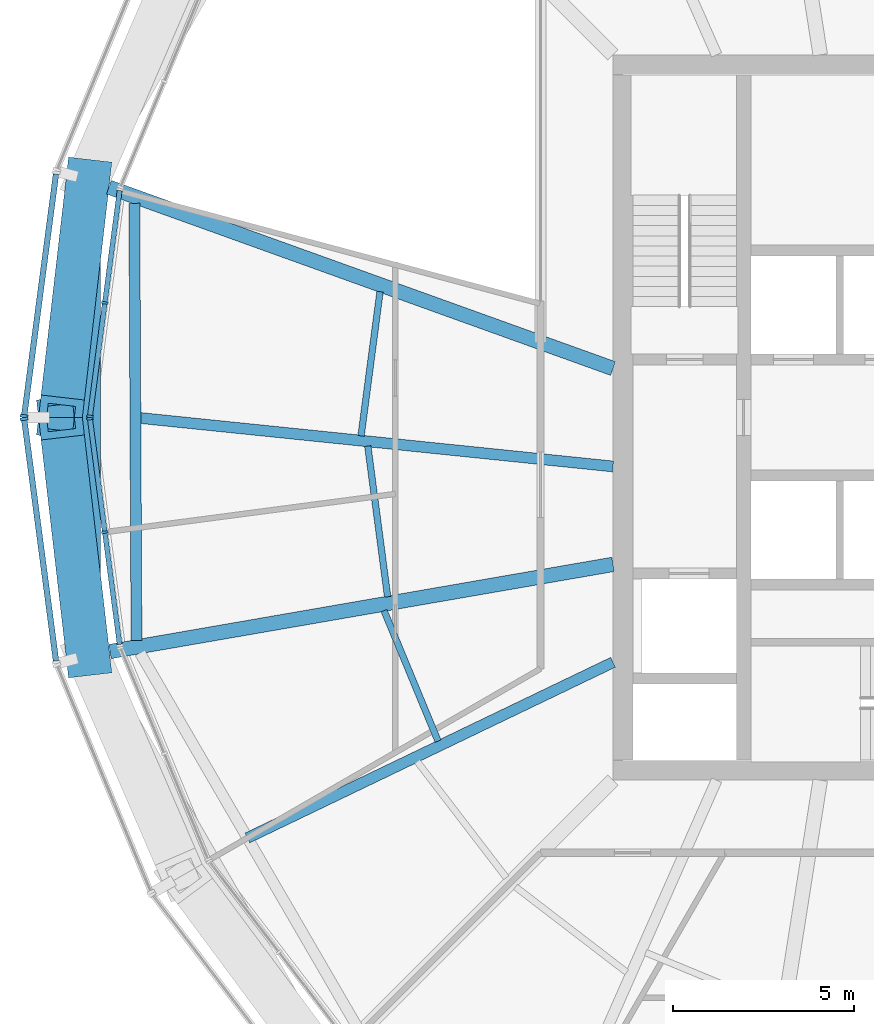
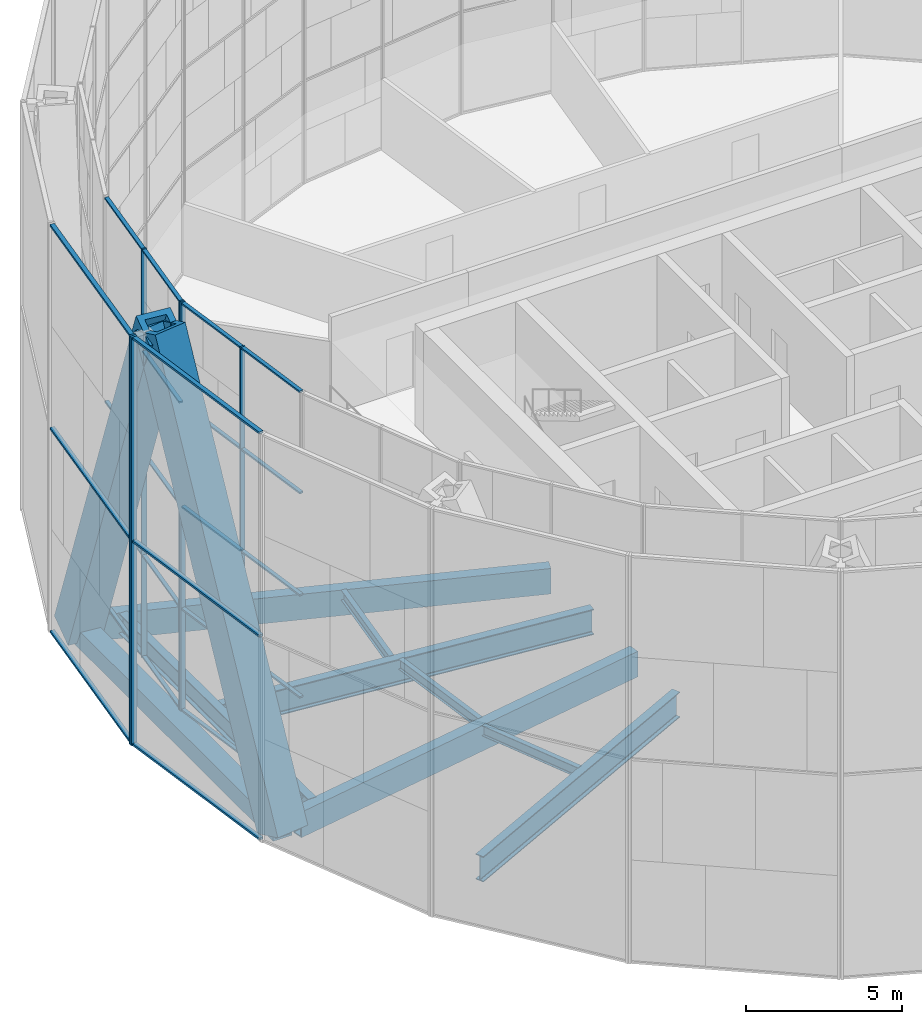
# One storey, part 4 of 28: 34 members, 9 beams, 4 elements without a shape of their own.
"""IFC4 building model written with IfcOpenShell, lengths in metres."""

from ifc_helpers import new_model, si_unit, direction, frame, origin, origin_2d, place, context, subcontext, project, spatial, rectangle, hollow_rectangle, i_section, extrude, material, material_profile, profile_set, type_object, element, aggregate, save


model = new_model("IFC4")

# Units and contexts
model_context = context("Model", 3, precision=1e-05, world=origin(), true_north=direction((0.0, 1.0)))
body_context = subcontext(model_context, "Body", "Model", "MODEL_VIEW")
ifc_project = project(units=[si_unit("LENGTHUNIT", "METRE"), si_unit("AREAUNIT", "SQUARE_METRE"), si_unit("VOLUMEUNIT", "CUBIC_METRE"), si_unit("PLANEANGLEUNIT", "RADIAN"), si_unit("MASSUNIT", "GRAM", prefix="KILO")], contexts=[model_context])

# Site, building, storey
site_placement = place(None, origin())
site = spatial("IfcSite", under=ifc_project, at=site_placement, CompositionType="ELEMENT")
building_placement = place(site_placement, origin())
building = spatial("IfcBuilding", under=site, at=building_placement, Name="Golbaran Civic Tower", CompositionType="ELEMENT")
storey_placement = place(building_placement, frame((0.0, 0.0, 134.0)))
storey = spatial("IfcBuildingStorey", under=building, at=storey_placement, Name="L32", CompositionType="ELEMENT", Elevation=134.0)

# Members
ifc_material_1 = material(Name="Steel S355", Category="steel")
ifc_material_profile_1 = material_profile(ifc_material_1, hollow_rectangle(XDim=1.199951171875, YDim=1.199951171875, WallThickness=0.219970703125, at=origin_2d()), Name="BOX 1200x1200x220")
ifc_profile_set_1 = profile_set([ifc_material_profile_1], Name="Steel S355")
member_type_1 = type_object("IfcMemberType", Name="DIAGRID DIAGONAL BOX 1200x1200x220", PredefinedType="BRACE", material=ifc_profile_set_1)
for number, where, z_axis, x_axis, name in (
    (1, (-24.4765625, 6.55859375, -0.7099609375), (-0.043754138493, -0.37892043084, 0.92439433277), (0.993399215237, -0.114708322129, 0.0), "Diagonal D07-05R L32-L36"),
    (2, (-24.4765625, -6.55859375, -0.7099609375), (-0.043754138493, 0.37892043084, 0.92439433277), (-0.993399215237, -0.114708322129, 0.0), "Diagonal D07-06L L32-L36"),
):
    element("IfcMember", number, at=place(storey_placement, frame(where, z_axis=z_axis, x_axis=x_axis)), inside=storey, type_object=member_type_1, Name=name, PredefinedType="BRACE", context=body_context, shape_type="SweptSolid", body=[
        extrude(hollow_rectangle(XDim=1.199951171875, YDim=1.199951171875, WallThickness=0.219970703125, at=origin_2d()), origin(), (0.0, 0.0, 1.0), 17.30859375),
    ])

# Beams
ifc_material_profile_2 = material_profile(ifc_material_1, hollow_rectangle(XDim=0.699951171875, YDim=0.699951171875, WallThickness=0.080078125, at=origin_2d()), Name="BOX 700x700x80")
ifc_profile_set_2 = profile_set([ifc_material_profile_2], Name="Steel S355")
beam_type_1 = type_object("IfcBeamType", Name="DIAGRID RING TIE BOX 700x700x80", PredefinedType="BEAM", material=ifc_profile_set_2)
beam_1_placement = place(storey_placement, frame((-24.4765625, 6.55859375, -0.7099609375), z_axis=(0.0, -1.0, 0.0), x_axis=(1.0, 0.0, 0.0)))
element("IfcBeam", 3, at=beam_1_placement, inside=storey, type_object=beam_type_1, Name="Ring tie 165.00 L32", PredefinedType="BEAM", context=body_context, shape_type="SweptSolid", body=[
    extrude(hollow_rectangle(XDim=0.699951171875, YDim=0.699951171875, WallThickness=0.080078125, at=origin_2d()), origin(), (0.0, 0.0, 1.0), 13.1171875),
])
ifc_material_profile_3 = material_profile(ifc_material_1, i_section(OverallWidth=0.300048828125, OverallDepth=0.800048828125, WebThickness=0.017578125, FlangeThickness=0.032958984375, FilletRadius=0.030029296875, at=origin_2d()), Name="HEB 800")
ifc_profile_set_3 = profile_set([ifc_material_profile_3], Name="Steel S355")
beam_type_2 = type_object("IfcBeamType", Name="EDGE BEAM HEB 800", PredefinedType="BEAM", material=ifc_profile_set_3)
beam_2_placement = place(storey_placement, frame((-23.19677734375, 5.90673828125, -0.60009765625), z_axis=(0.00490279567, -0.999987981225, 0.0), x_axis=(0.999987981225, 0.00490279567, 0.0)))
element("IfcBeam", 4, at=beam_2_placement, inside=storey, type_object=beam_type_2, Name="Edge beam 165.00 L32", PredefinedType="BEAM", context=body_context, shape_type="SweptSolid", body=[
    extrude(i_section(OverallWidth=0.300048828125, OverallDepth=0.800048828125, WebThickness=0.017578125, FlangeThickness=0.032958984375, FilletRadius=0.030029296875, at=origin_2d()), origin(), (0.0, 0.0, 1.0), 12.05078125),
])
ifc_material_profile_4 = material_profile(ifc_material_1, i_section(OverallWidth=0.179931640625, OverallDepth=0.39990234375, WebThickness=0.008544921875, FlangeThickness=0.013427734375, FilletRadius=0.02099609375, at=origin_2d()), Name="IPE 400")
ifc_profile_set_4 = profile_set([ifc_material_profile_4], Name="Steel S355")
beam_type_3 = type_object("IfcBeamType", Name="FLOOR INFILL BEAM IPE 400", PredefinedType="BEAM", material=ifc_profile_set_4)
beam_3_placement = place(storey_placement, frame((-16.42236328125, 3.46923828125, -0.39990234375), z_axis=(-0.130504898859, -0.991447664465, 0.0), x_axis=(0.991447664465, -0.130504898859, 0.0)))
element("IfcBeam", 5, at=beam_3_placement, inside=storey, type_object=beam_type_3, Name="Infill beam 172.50 L32", PredefinedType="BEAM", context=body_context, shape_type="SweptSolid", body=[
    extrude(i_section(OverallWidth=0.179931640625, OverallDepth=0.39990234375, WebThickness=0.008544921875, FlangeThickness=0.013427734375, FilletRadius=0.02099609375, at=origin_2d()), origin(), (0.0, 0.0, 1.0), 4.010986328125),
])
beam_4_placement = place(storey_placement, frame((-16.760009765625, -0.78759765625, -0.39990234375), z_axis=(0.130511759414, -0.991446761382, 0.0), x_axis=(0.991446761382, 0.130511759414, 0.0)))
element("IfcBeam", 6, at=beam_4_placement, inside=storey, type_object=beam_type_3, Name="Infill beam 187.50 L32", PredefinedType="BEAM", context=body_context, shape_type="SweptSolid", body=[
    extrude(i_section(OverallWidth=0.179931640625, OverallDepth=0.39990234375, WebThickness=0.008544921875, FlangeThickness=0.013427734375, FilletRadius=0.02099609375, at=origin_2d()), origin(), (0.0, 0.0, 1.0), 4.192138671875),
])
beam_5_placement = place(storey_placement, frame((-16.3115234375, -5.326416015625, -0.39990234375), z_axis=(0.382663850162, -0.923887643482, 0.0), x_axis=(0.923887643482, 0.382663850162, 0.0)))
element("IfcBeam", 7, at=beam_5_placement, inside=storey, type_object=beam_type_3, Name="Infill beam 202.50 L32", PredefinedType="BEAM", context=body_context, shape_type="SweptSolid", body=[
    extrude(i_section(OverallWidth=0.179931640625, OverallDepth=0.39990234375, WebThickness=0.008544921875, FlangeThickness=0.013427734375, FilletRadius=0.02099609375, at=origin_2d()), origin(), (0.0, 0.0, 1.0), 3.892333984375),
])

# Curtain wall, members
ifc_material_2 = material(Name="Aluminium and glass", Category="aluminium")
curtain_wall_type_1 = type_object("IfcCurtainWallType", Name="INNER SKIN CURTAIN WALL", PredefinedType="NOTDEFINED", material=ifc_material_2)
curtain_wall_1_placement = place(storey_placement, origin())
curtain_wall_1 = element("IfcCurtainWall", 8, at=curtain_wall_1_placement, inside=storey, type_object=curtain_wall_type_1, Name="Inner skin L32 facet 12 CW1", ObjectType="INNER SKIN", PredefinedType="USERDEFINED")
ifc_material_3 = material(Name="Aluminium", Category="aluminium")
ifc_material_profile_5 = material_profile(ifc_material_3, rectangle(XDim=0.179931640625, YDim=0.06494140625, at=origin_2d()), Name="INNER SKIN CURTAIN WALL MULLION")
ifc_profile_set_5 = profile_set([ifc_material_profile_5], Name="Aluminium")
member_type_2 = type_object("IfcMemberType", Name="INNER SKIN CURTAIN WALL MULLION", PredefinedType="MULLION", material=ifc_profile_set_5)
member_1_placement = place(storey_placement, frame((-24.0087890625, 3.160888671875, 0.0), z_axis=(0.0, 0.0, 1.0), x_axis=(0.991444861372, -0.130526192237, 0.0)))
member_1 = element("IfcMember", 9, at=member_1_placement, type_object=member_type_2, Name="CW1 mullion 2", PredefinedType="MULLION", context=body_context, shape_type="SweptSolid", body=[
    extrude(rectangle(XDim=0.179931640625, YDim=0.06494140625, at=origin_2d()), origin(), (0.0, 0.0, 1.0), 16.0),
])
member_2_placement = place(storey_placement, frame((-24.420654296875, 0.0322265625, 0.0), z_axis=(0.0, 0.0, 1.0), x_axis=(0.991444861372, -0.130526192237, 0.0)))
member_2 = element("IfcMember", 10, at=member_2_placement, type_object=member_type_2, Name="CW1 mullion 3", PredefinedType="MULLION", context=body_context, shape_type="SweptSolid", body=[
    extrude(rectangle(XDim=0.179931640625, YDim=0.06494140625, at=origin_2d()), origin(), (0.0, 0.0, 1.0), 16.0),
])

curtain_wall_2_placement = place(storey_placement, origin())
curtain_wall_2 = element("IfcCurtainWall", 11, at=curtain_wall_2_placement, inside=storey, type_object=curtain_wall_type_1, Name="Inner skin L32 facet 13 CW1", ObjectType="INNER SKIN", PredefinedType="USERDEFINED")
member_3_placement = place(storey_placement, frame((-24.420654296875, -0.0322265625, 0.0), z_axis=(0.0, 0.0, 1.0), x_axis=(0.991444861372, 0.130526192237, 0.0)))
member_3 = element("IfcMember", 12, at=member_3_placement, type_object=member_type_2, Name="CW1 mullion 1", PredefinedType="MULLION", context=body_context, shape_type="SweptSolid", body=[
    extrude(rectangle(XDim=0.179931640625, YDim=0.06494140625, at=origin_2d()), origin(), (0.0, 0.0, 1.0), 16.0),
])
member_4_placement = place(storey_placement, frame((-24.0087890625, -3.160888671875, 0.0), z_axis=(0.0, 0.0, 1.0), x_axis=(0.991444861372, 0.130526192237, 0.0)))
member_4 = element("IfcMember", 13, at=member_4_placement, type_object=member_type_2, Name="CW1 mullion 2", PredefinedType="MULLION", context=body_context, shape_type="SweptSolid", body=[
    extrude(rectangle(XDim=0.179931640625, YDim=0.06494140625, at=origin_2d()), origin(), (0.0, 0.0, 1.0), 16.0),
])

# Member
ifc_material_profile_6 = material_profile(ifc_material_3, rectangle(XDim=0.139892578125, YDim=0.06494140625, at=origin_2d()), Name="INNER SKIN CURTAIN WALL TRANSOM")
ifc_profile_set_6 = profile_set([ifc_material_profile_6], Name="Aluminium")
member_type_3 = type_object("IfcMemberType", Name="INNER SKIN CURTAIN WALL TRANSOM", PredefinedType="USERDEFINED", material=ifc_profile_set_6)
member_5_placement = place(storey_placement, frame((-23.601318359375, 6.25732421875, 0.032470703125), z_axis=(-0.13049742388, -0.991448648373, 0.0), x_axis=(0.991448648373, -0.13049742388, 0.0)))
member_5 = element("IfcMember", 14, at=member_5_placement, type_object=member_type_3, Name="CW1 transom 1.1", ObjectType="TRANSOM", PredefinedType="USERDEFINED", context=body_context, shape_type="SweptSolid", body=[
    extrude(rectangle(XDim=0.139892578125, YDim=0.06494140625, at=origin_2d()), origin(), (0.0, 0.0, 1.0), 3.090576171875),
])

member_6_placement = place(storey_placement, frame((-23.601318359375, 6.25732421875, 4.0), z_axis=(-0.13049742388, -0.991448648373, 0.0), x_axis=(0.991448648373, -0.13049742388, 0.0)))
member_6 = element("IfcMember", 15, at=member_6_placement, type_object=member_type_3, Name="CW1 transom 1.2", ObjectType="TRANSOM", PredefinedType="USERDEFINED", context=body_context, shape_type="SweptSolid", body=[
    extrude(rectangle(XDim=0.139892578125, YDim=0.06494140625, at=origin_2d()), origin(), (0.0, 0.0, 1.0), 3.090576171875),
])

member_7_placement = place(storey_placement, frame((-23.601318359375, 6.25732421875, 8.0), z_axis=(-0.13049742388, -0.991448648373, 0.0), x_axis=(0.991448648373, -0.13049742388, 0.0)))
member_7 = element("IfcMember", 16, at=member_7_placement, type_object=member_type_3, Name="CW1 transom 1.3", ObjectType="TRANSOM", PredefinedType="USERDEFINED", context=body_context, shape_type="SweptSolid", body=[
    extrude(rectangle(XDim=0.139892578125, YDim=0.06494140625, at=origin_2d()), origin(), (0.0, 0.0, 1.0), 3.090576171875),
])

member_8_placement = place(storey_placement, frame((-23.601318359375, 6.25732421875, 12.0), z_axis=(-0.13049742388, -0.991448648373, 0.0), x_axis=(0.991448648373, -0.13049742388, 0.0)))
member_8 = element("IfcMember", 17, at=member_8_placement, type_object=member_type_3, Name="CW1 transom 1.4", ObjectType="TRANSOM", PredefinedType="USERDEFINED", context=body_context, shape_type="SweptSolid", body=[
    extrude(rectangle(XDim=0.139892578125, YDim=0.06494140625, at=origin_2d()), origin(), (0.0, 0.0, 1.0), 3.090576171875),
])

member_9_placement = place(storey_placement, frame((-23.601318359375, 6.25732421875, 15.967529296875), z_axis=(-0.13049742388, -0.991448648373, 0.0), x_axis=(0.991448648373, -0.13049742388, 0.0)))
member_9 = element("IfcMember", 18, at=member_9_placement, type_object=member_type_3, Name="CW1 transom 1.5", ObjectType="TRANSOM", PredefinedType="USERDEFINED", context=body_context, shape_type="SweptSolid", body=[
    extrude(rectangle(XDim=0.139892578125, YDim=0.06494140625, at=origin_2d()), origin(), (0.0, 0.0, 1.0), 3.090576171875),
])

member_10_placement = place(storey_placement, frame((-24.01318359375, 3.128662109375, 0.032470703125), z_axis=(-0.13049742388, -0.991448648373, 0.0), x_axis=(0.991448648373, -0.13049742388, 0.0)))
member_10 = element("IfcMember", 19, at=member_10_placement, type_object=member_type_3, Name="CW1 transom 2.1", ObjectType="TRANSOM", PredefinedType="USERDEFINED", context=body_context, shape_type="SweptSolid", body=[
    extrude(rectangle(XDim=0.139892578125, YDim=0.06494140625, at=origin_2d()), origin(), (0.0, 0.0, 1.0), 3.090576171875),
])

member_11_placement = place(storey_placement, frame((-24.01318359375, 3.128662109375, 4.0), z_axis=(-0.13049742388, -0.991448648373, 0.0), x_axis=(0.991448648373, -0.13049742388, 0.0)))
member_11 = element("IfcMember", 20, at=member_11_placement, type_object=member_type_3, Name="CW1 transom 2.2", ObjectType="TRANSOM", PredefinedType="USERDEFINED", context=body_context, shape_type="SweptSolid", body=[
    extrude(rectangle(XDim=0.139892578125, YDim=0.06494140625, at=origin_2d()), origin(), (0.0, 0.0, 1.0), 3.090576171875),
])

member_12_placement = place(storey_placement, frame((-24.01318359375, 3.128662109375, 8.0), z_axis=(-0.13049742388, -0.991448648373, 0.0), x_axis=(0.991448648373, -0.13049742388, 0.0)))
member_12 = element("IfcMember", 21, at=member_12_placement, type_object=member_type_3, Name="CW1 transom 2.3", ObjectType="TRANSOM", PredefinedType="USERDEFINED", context=body_context, shape_type="SweptSolid", body=[
    extrude(rectangle(XDim=0.139892578125, YDim=0.06494140625, at=origin_2d()), origin(), (0.0, 0.0, 1.0), 3.090576171875),
])

member_13_placement = place(storey_placement, frame((-24.01318359375, 3.128662109375, 12.0), z_axis=(-0.13049742388, -0.991448648373, 0.0), x_axis=(0.991448648373, -0.13049742388, 0.0)))
member_13 = element("IfcMember", 22, at=member_13_placement, type_object=member_type_3, Name="CW1 transom 2.4", ObjectType="TRANSOM", PredefinedType="USERDEFINED", context=body_context, shape_type="SweptSolid", body=[
    extrude(rectangle(XDim=0.139892578125, YDim=0.06494140625, at=origin_2d()), origin(), (0.0, 0.0, 1.0), 3.090576171875),
])

member_14_placement = place(storey_placement, frame((-24.01318359375, 3.128662109375, 15.967529296875), z_axis=(-0.13049742388, -0.991448648373, 0.0), x_axis=(0.991448648373, -0.13049742388, 0.0)))
member_14 = element("IfcMember", 23, at=member_14_placement, type_object=member_type_3, Name="CW1 transom 2.5", ObjectType="TRANSOM", PredefinedType="USERDEFINED", context=body_context, shape_type="SweptSolid", body=[
    extrude(rectangle(XDim=0.139892578125, YDim=0.06494140625, at=origin_2d()), origin(), (0.0, 0.0, 1.0), 3.090576171875),
])

aggregate(curtain_wall_1, [member_1, member_2, member_5, member_6, member_7, member_8, member_9, member_10, member_11, member_12, member_13, member_14])

member_15_placement = place(storey_placement, frame((-24.41650390625, -0.064453125, 0.032470703125), z_axis=(0.13049742388, -0.991448648373, 0.0), x_axis=(0.991448648373, 0.13049742388, 0.0)))
member_15 = element("IfcMember", 24, at=member_15_placement, type_object=member_type_3, Name="CW1 transom 1.1", ObjectType="TRANSOM", PredefinedType="USERDEFINED", context=body_context, shape_type="SweptSolid", body=[
    extrude(rectangle(XDim=0.139892578125, YDim=0.06494140625, at=origin_2d()), origin(), (0.0, 0.0, 1.0), 3.090576171875),
])

member_16_placement = place(storey_placement, frame((-24.41650390625, -0.064453125, 4.0), z_axis=(0.13049742388, -0.991448648373, 0.0), x_axis=(0.991448648373, 0.13049742388, 0.0)))
member_16 = element("IfcMember", 25, at=member_16_placement, type_object=member_type_3, Name="CW1 transom 1.2", ObjectType="TRANSOM", PredefinedType="USERDEFINED", context=body_context, shape_type="SweptSolid", body=[
    extrude(rectangle(XDim=0.139892578125, YDim=0.06494140625, at=origin_2d()), origin(), (0.0, 0.0, 1.0), 3.090576171875),
])

member_17_placement = place(storey_placement, frame((-24.41650390625, -0.064453125, 8.0), z_axis=(0.13049742388, -0.991448648373, 0.0), x_axis=(0.991448648373, 0.13049742388, 0.0)))
member_17 = element("IfcMember", 26, at=member_17_placement, type_object=member_type_3, Name="CW1 transom 1.3", ObjectType="TRANSOM", PredefinedType="USERDEFINED", context=body_context, shape_type="SweptSolid", body=[
    extrude(rectangle(XDim=0.139892578125, YDim=0.06494140625, at=origin_2d()), origin(), (0.0, 0.0, 1.0), 3.090576171875),
])

member_18_placement = place(storey_placement, frame((-24.41650390625, -0.064453125, 12.0), z_axis=(0.13049742388, -0.991448648373, 0.0), x_axis=(0.991448648373, 0.13049742388, 0.0)))
member_18 = element("IfcMember", 27, at=member_18_placement, type_object=member_type_3, Name="CW1 transom 1.4", ObjectType="TRANSOM", PredefinedType="USERDEFINED", context=body_context, shape_type="SweptSolid", body=[
    extrude(rectangle(XDim=0.139892578125, YDim=0.06494140625, at=origin_2d()), origin(), (0.0, 0.0, 1.0), 3.090576171875),
])

member_19_placement = place(storey_placement, frame((-24.41650390625, -0.064453125, 15.967529296875), z_axis=(0.13049742388, -0.991448648373, 0.0), x_axis=(0.991448648373, 0.13049742388, 0.0)))
member_19 = element("IfcMember", 28, at=member_19_placement, type_object=member_type_3, Name="CW1 transom 1.5", ObjectType="TRANSOM", PredefinedType="USERDEFINED", context=body_context, shape_type="SweptSolid", body=[
    extrude(rectangle(XDim=0.139892578125, YDim=0.06494140625, at=origin_2d()), origin(), (0.0, 0.0, 1.0), 3.090576171875),
])

member_20_placement = place(storey_placement, frame((-24.004638671875, -3.193115234375, 0.032470703125), z_axis=(0.13049742388, -0.991448648373, 0.0), x_axis=(0.991448648373, 0.13049742388, 0.0)))
member_20 = element("IfcMember", 29, at=member_20_placement, type_object=member_type_3, Name="CW1 transom 2.1", ObjectType="TRANSOM", PredefinedType="USERDEFINED", context=body_context, shape_type="SweptSolid", body=[
    extrude(rectangle(XDim=0.139892578125, YDim=0.06494140625, at=origin_2d()), origin(), (0.0, 0.0, 1.0), 3.090576171875),
])

member_21_placement = place(storey_placement, frame((-24.004638671875, -3.193115234375, 4.0), z_axis=(0.13049742388, -0.991448648373, 0.0), x_axis=(0.991448648373, 0.13049742388, 0.0)))
member_21 = element("IfcMember", 30, at=member_21_placement, type_object=member_type_3, Name="CW1 transom 2.2", ObjectType="TRANSOM", PredefinedType="USERDEFINED", context=body_context, shape_type="SweptSolid", body=[
    extrude(rectangle(XDim=0.139892578125, YDim=0.06494140625, at=origin_2d()), origin(), (0.0, 0.0, 1.0), 3.090576171875),
])

member_22_placement = place(storey_placement, frame((-24.004638671875, -3.193115234375, 8.0), z_axis=(0.13049742388, -0.991448648373, 0.0), x_axis=(0.991448648373, 0.13049742388, 0.0)))
member_22 = element("IfcMember", 31, at=member_22_placement, type_object=member_type_3, Name="CW1 transom 2.3", ObjectType="TRANSOM", PredefinedType="USERDEFINED", context=body_context, shape_type="SweptSolid", body=[
    extrude(rectangle(XDim=0.139892578125, YDim=0.06494140625, at=origin_2d()), origin(), (0.0, 0.0, 1.0), 3.090576171875),
])

member_23_placement = place(storey_placement, frame((-24.004638671875, -3.193115234375, 12.0), z_axis=(0.13049742388, -0.991448648373, 0.0), x_axis=(0.991448648373, 0.13049742388, 0.0)))
member_23 = element("IfcMember", 32, at=member_23_placement, type_object=member_type_3, Name="CW1 transom 2.4", ObjectType="TRANSOM", PredefinedType="USERDEFINED", context=body_context, shape_type="SweptSolid", body=[
    extrude(rectangle(XDim=0.139892578125, YDim=0.06494140625, at=origin_2d()), origin(), (0.0, 0.0, 1.0), 3.090576171875),
])

member_24_placement = place(storey_placement, frame((-24.004638671875, -3.193115234375, 15.967529296875), z_axis=(0.13049742388, -0.991448648373, 0.0), x_axis=(0.991448648373, 0.13049742388, 0.0)))
member_24 = element("IfcMember", 33, at=member_24_placement, type_object=member_type_3, Name="CW1 transom 2.5", ObjectType="TRANSOM", PredefinedType="USERDEFINED", context=body_context, shape_type="SweptSolid", body=[
    extrude(rectangle(XDim=0.139892578125, YDim=0.06494140625, at=origin_2d()), origin(), (0.0, 0.0, 1.0), 3.090576171875),
])

aggregate(curtain_wall_2, [member_3, member_4, member_15, member_16, member_17, member_18, member_19, member_20, member_21, member_22, member_23, member_24])

# Curtain wall, member
curtain_wall_type_2 = type_object("IfcCurtainWallType", Name="OUTER SKIN TERRACOTTA SCREEN", PredefinedType="NOTDEFINED", material=ifc_material_2)
curtain_wall_3_placement = place(storey_placement, origin())
curtain_wall_3 = element("IfcCurtainWall", 34, at=curtain_wall_3_placement, inside=storey, type_object=curtain_wall_type_2, Name="Outer skin L32 facet 12 CW3", ObjectType="OUTER SKIN", PredefinedType="USERDEFINED")
ifc_material_profile_7 = material_profile(ifc_material_3, rectangle(XDim=0.219970703125, YDim=0.080078125, at=origin_2d()), Name="OUTER SKIN TERRACOTTA SCREEN MULLION")
ifc_profile_set_7 = profile_set([ifc_material_profile_7], Name="Aluminium")
member_type_4 = type_object("IfcMemberType", Name="OUTER SKIN TERRACOTTA SCREEN MULLION", PredefinedType="MULLION", material=ifc_profile_set_7)
member_25_placement = place(storey_placement, frame((-26.23486328125, 0.03955078125, -0.7099609375), z_axis=(0.0, 0.0, 1.0), x_axis=(0.991444861376, -0.130526192203, 0.0)))
member_25 = element("IfcMember", 35, at=member_25_placement, type_object=member_type_4, Name="CW3 mullion 2", PredefinedType="MULLION", context=body_context, shape_type="SweptSolid", body=[
    extrude(rectangle(XDim=0.219970703125, YDim=0.080078125, at=origin_2d()), origin(), (0.0, 0.0, 1.0), 16.0),
])

curtain_wall_4_placement = place(storey_placement, origin())
curtain_wall_4 = element("IfcCurtainWall", 36, at=curtain_wall_4_placement, inside=storey, type_object=curtain_wall_type_2, Name="Outer skin L32 facet 13 CW3", ObjectType="OUTER SKIN", PredefinedType="USERDEFINED")
member_26_placement = place(storey_placement, frame((-26.23486328125, -0.03955078125, -0.7099609375), z_axis=(0.0, 0.0, 1.0), x_axis=(0.991444861376, 0.130526192203, 0.0)))
member_26 = element("IfcMember", 37, at=member_26_placement, type_object=member_type_4, Name="CW3 mullion 1", PredefinedType="MULLION", context=body_context, shape_type="SweptSolid", body=[
    extrude(rectangle(XDim=0.219970703125, YDim=0.080078125, at=origin_2d()), origin(), (0.0, 0.0, 1.0), 16.0),
])

# Member
ifc_material_profile_8 = material_profile(ifc_material_3, rectangle(XDim=0.159912109375, YDim=0.080078125, at=origin_2d()), Name="OUTER SKIN TERRACOTTA SCREEN TRANSOM")
ifc_profile_set_8 = profile_set([ifc_material_profile_8], Name="Aluminium")
member_type_5 = type_object("IfcMemberType", Name="OUTER SKIN TERRACOTTA SCREEN TRANSOM", PredefinedType="USERDEFINED", material=ifc_profile_set_8)
member_27_placement = place(storey_placement, frame((-25.3564453125, 6.712158203125, -0.669921875), z_axis=(-0.130499824667, -0.991448332371, 0.0), x_axis=(0.991448332371, -0.130499824667, 0.0)))
member_27 = element("IfcMember", 38, at=member_27_placement, type_object=member_type_5, Name="CW3 transom 1.1", ObjectType="TRANSOM", PredefinedType="USERDEFINED", context=body_context, shape_type="SweptSolid", body=[
    extrude(rectangle(XDim=0.159912109375, YDim=0.080078125, at=origin_2d()), origin(), (0.0, 0.0, 1.0), 6.68994140625),
])

member_28_placement = place(storey_placement, frame((-25.3564453125, 6.712158203125, 7.2900390625), z_axis=(-0.130499824667, -0.991448332371, 0.0), x_axis=(0.991448332371, -0.130499824667, 0.0)))
member_28 = element("IfcMember", 39, at=member_28_placement, type_object=member_type_5, Name="CW3 transom 1.2", ObjectType="TRANSOM", PredefinedType="USERDEFINED", context=body_context, shape_type="SweptSolid", body=[
    extrude(rectangle(XDim=0.159912109375, YDim=0.080078125, at=origin_2d()), origin(), (0.0, 0.0, 1.0), 6.68994140625),
])

member_29_placement = place(storey_placement, frame((-25.3564453125, 6.712158203125, 15.25), z_axis=(-0.130499824667, -0.991448332371, 0.0), x_axis=(0.991448332371, -0.130499824667, 0.0)))
member_29 = element("IfcMember", 40, at=member_29_placement, type_object=member_type_5, Name="CW3 transom 1.3", ObjectType="TRANSOM", PredefinedType="USERDEFINED", context=body_context, shape_type="SweptSolid", body=[
    extrude(rectangle(XDim=0.159912109375, YDim=0.080078125, at=origin_2d()), origin(), (0.0, 0.0, 1.0), 6.68994140625),
])

aggregate(curtain_wall_3, [member_25, member_27, member_28, member_29])

member_30_placement = place(storey_placement, frame((-26.2294921875, -0.079345703125, -0.669921875), z_axis=(0.130499824667, -0.991448332371, 0.0), x_axis=(0.991448332371, 0.130499824667, 0.0)))
member_30 = element("IfcMember", 41, at=member_30_placement, type_object=member_type_5, Name="CW3 transom 1.1", ObjectType="TRANSOM", PredefinedType="USERDEFINED", context=body_context, shape_type="SweptSolid", body=[
    extrude(rectangle(XDim=0.159912109375, YDim=0.080078125, at=origin_2d()), origin(), (0.0, 0.0, 1.0), 6.68994140625),
])

member_31_placement = place(storey_placement, frame((-26.2294921875, -0.079345703125, 7.2900390625), z_axis=(0.130499824667, -0.991448332371, 0.0), x_axis=(0.991448332371, 0.130499824667, 0.0)))
member_31 = element("IfcMember", 42, at=member_31_placement, type_object=member_type_5, Name="CW3 transom 1.2", ObjectType="TRANSOM", PredefinedType="USERDEFINED", context=body_context, shape_type="SweptSolid", body=[
    extrude(rectangle(XDim=0.159912109375, YDim=0.080078125, at=origin_2d()), origin(), (0.0, 0.0, 1.0), 6.68994140625),
])

member_32_placement = place(storey_placement, frame((-26.2294921875, -0.079345703125, 15.25), z_axis=(0.130499824667, -0.991448332371, 0.0), x_axis=(0.991448332371, 0.130499824667, 0.0)))
member_32 = element("IfcMember", 43, at=member_32_placement, type_object=member_type_5, Name="CW3 transom 1.3", ObjectType="TRANSOM", PredefinedType="USERDEFINED", context=body_context, shape_type="SweptSolid", body=[
    extrude(rectangle(XDim=0.159912109375, YDim=0.080078125, at=origin_2d()), origin(), (0.0, 0.0, 1.0), 6.68994140625),
])

aggregate(curtain_wall_4, [member_26, member_30, member_31, member_32])

# Beams
ifc_material_profile_9 = material_profile(ifc_material_1, hollow_rectangle(XDim=0.39990234375, YDim=1.0, WallThickness=0.0400390625, at=origin_2d()), Name="BOX 1000x400x40")
ifc_profile_set_9 = profile_set([ifc_material_profile_9], Name="Steel S355")
beam_type_4 = type_object("IfcBeamType", Name="RADIAL FLOOR BEAM BOX 1000x400x40", PredefinedType="BEAM", material=ifc_profile_set_9)
beam_6_placement = place(storey_placement, frame((-10.0, 1.35009765625, -0.7099609375), z_axis=(-0.940953564219, 0.338535655411, 0.0), x_axis=(-0.338535655411, -0.940953564219, 0.0)))
element("IfcBeam", 44, at=beam_6_placement, inside=storey, type_object=beam_type_4, Name="Radial beam 165.00 L32", PredefinedType="BEAM", context=body_context, shape_type="SweptSolid", body=[
    extrude(hollow_rectangle(XDim=0.39990234375, YDim=1.0, WallThickness=0.0400390625, at=origin_2d()), origin(), (0.0, 0.0, 1.0), 14.768798828125),
])
beam_7_placement = place(storey_placement, frame((-10.0, -4.050048828125, -0.7099609375), z_axis=(-0.98531735933, -0.170732836333, 0.0), x_axis=(0.170732836333, -0.98531735933, 0.0)))
element("IfcBeam", 45, at=beam_7_placement, inside=storey, type_object=beam_type_4, Name="Radial beam 195.00 L32", PredefinedType="BEAM", context=body_context, shape_type="SweptSolid", body=[
    extrude(hollow_rectangle(XDim=0.39990234375, YDim=1.0, WallThickness=0.0400390625, at=origin_2d()), origin(), (0.0, 0.0, 1.0), 14.074951171875),
])
ifc_material_profile_10 = material_profile(ifc_material_1, i_section(OverallWidth=0.300048828125, OverallDepth=1.0, WebThickness=0.01904296875, FlangeThickness=0.035888671875, FilletRadius=0.030029296875, at=origin_2d()), Name="HEB 1000")
ifc_profile_set_10 = profile_set([ifc_material_profile_10], Name="Steel S355")
beam_type_5 = type_object("IfcBeamType", Name="SECONDARY FLOOR BEAM HEB 1000", PredefinedType="BEAM", material=ifc_profile_set_10)
beam_8_placement = place(storey_placement, frame((-10.0, -1.35009765625, -0.7099609375), z_axis=(-0.994784798097, 0.101996105191, 0.0), x_axis=(-0.101996105191, -0.994784798097, 0.0)))
element("IfcBeam", 46, at=beam_8_placement, inside=storey, type_object=beam_type_5, Name="Secondary beam 180.00 L32", PredefinedType="BEAM", context=body_context, shape_type="SweptSolid", body=[
    extrude(i_section(OverallWidth=0.300048828125, OverallDepth=1.0, WebThickness=0.01904296875, FlangeThickness=0.035888671875, FilletRadius=0.030029296875, at=origin_2d()), origin(), (0.0, 0.0, 1.0), 13.23681640625),
])
beam_9_placement = place(storey_placement, frame((-10.0, -6.75, -0.7099609375), z_axis=(-0.901360127427, -0.433070341498, 0.0), x_axis=(0.433070341498, -0.901360127427, 0.0)))
element("IfcBeam", 47, at=beam_9_placement, inside=storey, type_object=beam_type_5, Name="Secondary beam 210.00 L32", PredefinedType="BEAM", context=body_context, shape_type="SweptSolid", body=[
    extrude(i_section(OverallWidth=0.300048828125, OverallDepth=1.0, WebThickness=0.01904296875, FlangeThickness=0.035888671875, FilletRadius=0.030029296875, at=origin_2d()), origin(), (0.0, 0.0, 1.0), 11.181396484375),
])

save(model, "model.ifc")
